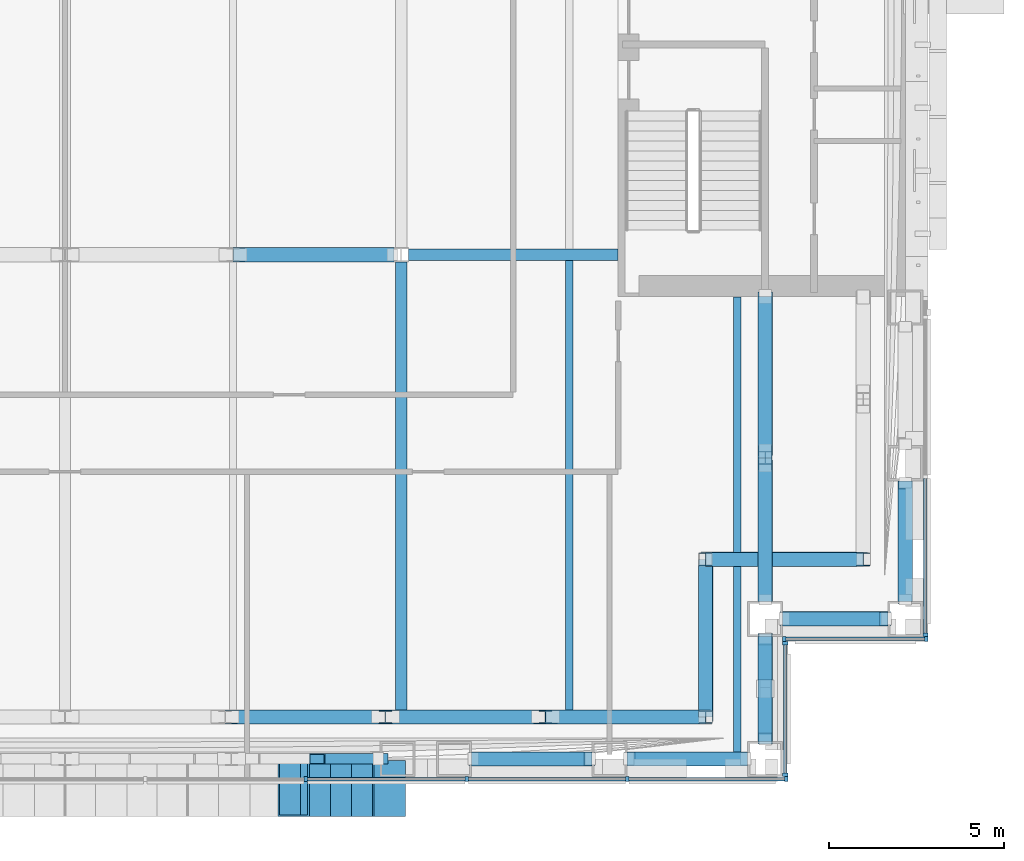
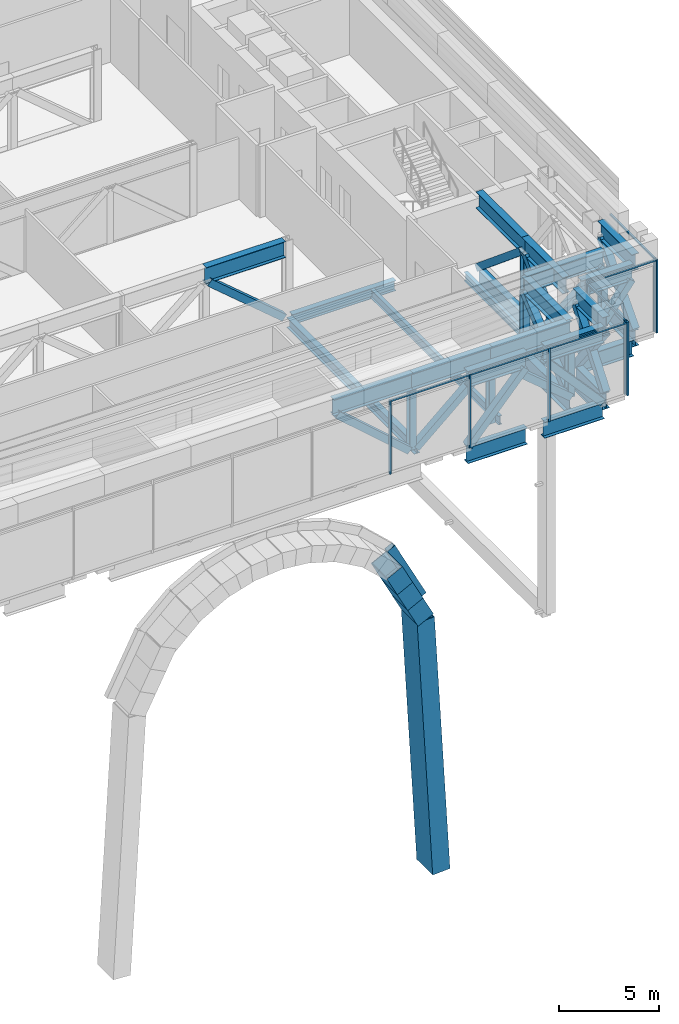
# One storey, part 5 of 39: 61 members, 6 beams, 4 elements without a shape of their own.
"""IFC4 building model written with IfcOpenShell, lengths in metres."""

import ifcopenshell
import ifcopenshell.guid

model = None  # the IFC model being written
_history = None  # IfcOwnerHistory: only IFC2X3 demands one
_inside = {}  # id of a spatial element -> (the spatial element, [elements in it])
_under = {}  # id of a project, library or spatial element -> (it, [spatial elements below it])
_declared = {}  # id of a project -> (the project, [libraries it declares])
_typed = {}  # id of a type object -> (the type object, [elements of that type])
_made_of = {}  # id of a material, layer set ... -> (it, [elements and type objects made of it])


def new_model(schema):
    """Start an empty IFC model of exactly this schema.

    Asked for "IFC4X3", IfcOpenShell would pick the latest addendum, in which some entities
    have other attributes; the version numbers below select the first issue.
    IFC2X3 requires an IfcOwnerHistory on every rooted entity: one is made here for all.
    """
    global model, _history
    if schema == "IFC4X3":
        model = ifcopenshell.file(schema_version=(4, 3, 0, 0))
    else:
        model = ifcopenshell.file(schema=schema)
    _inside.clear()
    _under.clear()
    _declared.clear()
    _typed.clear()
    _made_of.clear()
    _history = None
    if model.schema == "IFC2X3":
        org = make("IfcOrganization", Name="unknown")
        user = make(
            "IfcPersonAndOrganization",
            ThePerson=make("IfcPerson", FamilyName="unknown"),
            TheOrganization=org,
        )
        app = make(
            "IfcApplication",
            ApplicationDeveloper=org,
            Version="unknown",
            ApplicationFullName="unknown",
            ApplicationIdentifier="unknown",
        )
        _history = make(
            "IfcOwnerHistory",
            OwningUser=user,
            OwningApplication=app,
            ChangeAction="ADDED",
            CreationDate=0,
        )
    return model


def make(cls, **values):
    """One entity of the class cls with the attributes given. An attribute that is None is left unset."""
    return model.create_entity(
        cls, **{name: value for name, value in values.items() if value is not None}
    )


def rooted(cls, **values):
    """An entity with a GlobalId (a new one), such as an element, a storey or a relation."""
    return make(cls, GlobalId=ifcopenshell.guid.new(), OwnerHistory=_history, **values)


def si_unit(unit_type, name, prefix=None):
    """IfcSIUnit, for example si_unit("LENGTHUNIT", "METRE", prefix="MILLI")."""
    return make("IfcSIUnit", UnitType=unit_type, Prefix=prefix, Name=name)


def assignment(units):
    """IfcUnitAssignment: the units of a project."""
    return None if units is None else make("IfcUnitAssignment", Units=units)


def point(xyz):
    """IfcCartesianPoint."""
    return None if xyz is None else make("IfcCartesianPoint", Coordinates=xyz)


def direction(xyz):
    """IfcDirection."""
    return None if xyz is None else make("IfcDirection", DirectionRatios=xyz)


def frame(location, z_axis=None, x_axis=None):
    """IfcAxis2Placement3D, a coordinate frame: its origin and axes. An axis left out is left unset."""
    return make(
        "IfcAxis2Placement3D",
        Location=point(location),
        Axis=direction(z_axis),
        RefDirection=direction(x_axis),
    )


def frame_2d(location, x_axis=None):
    """IfcAxis2Placement2D, a coordinate frame in the plane: its origin and x axis."""
    return make(
        "IfcAxis2Placement2D", Location=point(location), RefDirection=direction(x_axis)
    )


def origin():
    """The frame at (0, 0, 0) with its axes left unset."""
    return frame((0.0, 0.0, 0.0))


def origin_2d():
    """The frame at (0, 0) in the plane with its x axis left unset."""
    return frame_2d((0.0, 0.0))


def place(relative_to, where):
    """IfcLocalPlacement: puts the frame where relative to a parent placement (None: the world)."""
    return make(
        "IfcLocalPlacement", PlacementRelTo=relative_to, RelativePlacement=where
    )


def context(
    kind, dimensions, precision=None, world=None, true_north=None, identifier=None
):
    """IfcGeometricRepresentationContext, for example the 3D "Model" context."""
    return make(
        "IfcGeometricRepresentationContext",
        ContextIdentifier=identifier,
        ContextType=kind,
        CoordinateSpaceDimension=dimensions,
        Precision=precision,
        WorldCoordinateSystem=world,
        TrueNorth=true_north,
    )


def subcontext(parent, identifier, kind, view, scale=None):
    """IfcGeometricRepresentationSubContext, for example "Body" below "Model"."""
    return make(
        "IfcGeometricRepresentationSubContext",
        ContextIdentifier=identifier,
        ContextType=kind,
        ParentContext=parent,
        TargetScale=scale,
        TargetView=view,
    )


def project(units=None, contexts=None):
    """IfcProject with its units and contexts."""
    return rooted(
        "IfcProject",
        Name="project",
        RepresentationContexts=contexts,
        UnitsInContext=assignment(units),
    )


def spatial(cls, under=None, at=None, **own):
    """A site, building, storey or space (cls), placed at a placement, below another one or the project."""
    s = rooted(cls, ObjectPlacement=at, **own)
    if under is not None:
        _under.setdefault(under.id(), (under, []))[1].append(s)
    return s


def profile(cls, at=None, kind="AREA", **sizes):
    """A parametric profile (cls). Its sizes go by their IFC names, for example OverallWidth=200.0."""
    return make(cls, ProfileType=kind, Position=at, **sizes)


def rectangle(**sizes):
    """IfcRectangleProfileDef."""
    return profile("IfcRectangleProfileDef", **sizes)


def hollow_rectangle(**sizes):
    """IfcRectangleHollowProfileDef."""
    return profile("IfcRectangleHollowProfileDef", **sizes)


def i_section(**sizes):
    """IfcIShapeProfileDef."""
    return profile("IfcIShapeProfileDef", **sizes)


def extrude(swept, where, along, depth):
    """IfcExtrudedAreaSolid: the profile swept, set in the frame where, extruded along a direction by depth."""
    return make(
        "IfcExtrudedAreaSolid",
        SweptArea=swept,
        Position=where,
        ExtrudedDirection=direction(along),
        Depth=depth,
    )


def shape(context_of_items, identifier, shape_type, items):
    """IfcShapeRepresentation: the items that make up one representation, for example the "Body"."""
    return make(
        "IfcShapeRepresentation",
        ContextOfItems=context_of_items,
        RepresentationIdentifier=identifier,
        RepresentationType=shape_type,
        Items=items,
    )


def material(Name=None, Category=None):
    """IfcMaterial."""
    return make("IfcMaterial", Name=Name, Category=Category)


def material_profile(
    of_material, cross_section, Name=None, Category=None, Priority=None
):
    """IfcMaterialProfile: a cross section and its material."""
    return make(
        "IfcMaterialProfile",
        Name=Name,
        Material=of_material,
        Profile=cross_section,
        Priority=Priority,
        Category=Category,
    )


def profile_set(profiles, Name=None, composite=None):
    """IfcMaterialProfileSet."""
    return make(
        "IfcMaterialProfileSet",
        Name=Name,
        MaterialProfiles=profiles,
        CompositeProfile=composite,
    )


def made_of(thing, what):
    """Note that an element or type object is made of a material, layer set ...; save() writes the relation."""
    if what is not None:
        _made_of.setdefault(what.id(), (what, []))[1].append(thing)
    return thing


def type_object(cls, material=None, **own):
    """A type object (cls), such as IfcWallType, which elements share."""
    return made_of(rooted(cls, **own), material)


def element(
    cls,
    number,
    at=None,
    inside=None,
    cuts=None,
    type_object=None,
    material=None,
    context=None,
    identifier="Body",
    shape_type=None,
    held_by="IfcProductDefinitionShape",
    body=None,
    shapes=None,
    **own,
):
    """One element of the class cls, such as IfcWall. Its Tag is "e" and its number.

    at: its placement. inside: the storey or other place that contains it. cuts: it is an
    opening in that element (IfcRelVoidsElement). A single representation is given by context,
    identifier, shape_type and body (its items); several are given by shapes. held_by: the class
    of the entity that holds the representations. save() writes the other relations.
    """
    e = rooted(cls, Tag="e%d" % number, ObjectPlacement=at, **own)
    if body is not None:
        shapes = [shape(context, identifier, shape_type, body)]
    if shapes is not None:
        e.Representation = make(held_by, Representations=shapes)
    if inside is not None:
        _inside.setdefault(inside.id(), (inside, []))[1].append(e)
    if cuts is not None:
        rooted(
            "IfcRelVoidsElement", RelatingBuildingElement=cuts, RelatedOpeningElement=e
        )
    if type_object is not None:
        _typed.setdefault(type_object.id(), (type_object, []))[1].append(e)
    return made_of(e, material)


def aggregate(whole, parts):
    """IfcRelAggregates: a whole, such as a stair, and the parts it consists of."""
    return rooted("IfcRelAggregates", RelatingObject=whole, RelatedObjects=parts)


def save(model, path):
    """Write the relations noted so far, then the file.

    IfcRelAggregates (storeys below a building ...), IfcRelContainedInSpatialStructure (elements
    in a storey), IfcRelDefinesByType, IfcRelAssociatesMaterial and IfcRelDeclares: one each for
    every whole, place, type object, material and project.
    """
    for whole, parts in _under.values():
        aggregate(whole, parts)
    for where, things in _inside.values():
        rooted(
            "IfcRelContainedInSpatialStructure",
            RelatedElements=things,
            RelatingStructure=where,
        )
    for kind, things in _typed.values():
        rooted("IfcRelDefinesByType", RelatedObjects=things, RelatingType=kind)
    for what, things in _made_of.values():
        rooted("IfcRelAssociatesMaterial", RelatedObjects=things, RelatingMaterial=what)
    for by, libraries in _declared.values():
        rooted("IfcRelDeclares", RelatingContext=by, RelatedDefinitions=libraries)
    model.write(path)


model = new_model("IFC4")

# Units and contexts
model_context = context("Model", 3, precision=1e-05, world=origin(), true_north=direction((0.0, 1.0)))
body_context = subcontext(model_context, "Body", "Model", "MODEL_VIEW")
ifc_project = project(units=[si_unit("LENGTHUNIT", "METRE"), si_unit("AREAUNIT", "SQUARE_METRE"), si_unit("VOLUMEUNIT", "CUBIC_METRE"), si_unit("PLANEANGLEUNIT", "RADIAN"), si_unit("MASSUNIT", "GRAM", prefix="KILO")], contexts=[model_context])

# Site, building, storey
site_placement = place(None, origin())
site = spatial("IfcSite", under=ifc_project, at=site_placement, CompositionType="ELEMENT")
building_placement = place(site_placement, origin())
building = spatial("IfcBuilding", under=site, at=building_placement, Name="Cobrizo Arcos Hotel Tower", CompositionType="ELEMENT")
storey_placement = place(building_placement, frame((0.0, 0.0, 84.5)))
storey = spatial("IfcBuildingStorey", under=building, at=storey_placement, Name="L20", CompositionType="ELEMENT", Elevation=84.5)

# Beam
ifc_material_1 = material(Name="Steel ASTM A572 Grade 50", Category="steel")
ifc_material_profile_1 = material_profile(ifc_material_1, hollow_rectangle(XDim=0.300048828125, YDim=0.5, WallThickness=0.02001953125, at=origin_2d()), Name="BOX 300X500X20")
ifc_profile_set_1 = profile_set([ifc_material_profile_1], Name="Steel ASTM A572 Grade 50")
beam_type_1 = type_object("IfcBeamType", Name="BOX 300X500X20 arch rib", PredefinedType="BEAM", material=ifc_profile_set_1)
beam_1_placement = place(storey_placement, frame((7.199951171875, -24.0, -4.9462890625), z_axis=(0.455923660176, 0.0, -0.890018885245), x_axis=(0.0, 1.0, 0.0)))
element("IfcBeam", 1, at=beam_1_placement, inside=storey, type_object=beam_type_1, Name="Arch rib AR1, arch A, south face, no. 10", PredefinedType="BEAM", context=body_context, shape_type="SweptSolid", body=[
    extrude(hollow_rectangle(XDim=0.300048828125, YDim=0.5, WallThickness=0.02001953125, at=origin_2d()), origin(), (0.0, 0.0, 1.0), 3.9482421875),
])

# Curtain wall, members
ifc_material_2 = material(Name="Aluminium 6063-T6 anodised bronze", Category="aluminium")
curtain_wall_type = type_object("IfcCurtainWallType", Name="CW-D plant louvre wall", PredefinedType="NOTDEFINED", material=ifc_material_2)
curtain_wall_1_placement = place(storey_placement, origin())
curtain_wall_1 = element("IfcCurtainWall", 2, at=curtain_wall_1_placement, inside=storey, type_object=curtain_wall_type, Name="CW-D L20 S face", PredefinedType="NOTDEFINED")
ifc_material_profile_2 = material_profile(ifc_material_2, rectangle(XDim=0.14990234375, YDim=0.10009765625, at=origin_2d()), Name="CW-D mullion 150x100")
ifc_profile_set_2 = profile_set([ifc_material_profile_2], Name="Aluminium 6063-T6 anodised bronze")
member_type_1 = type_object("IfcMemberType", Name="CW-D mullion 150x100", PredefinedType="MULLION", material=ifc_profile_set_2)
member_1_placement = place(storey_placement, frame((6.88330078125, -24.574951171875, 0.0), z_axis=(0.0, 0.0, 1.0), x_axis=(0.0, -1.0, 0.0)))
member_1 = element("IfcMember", 3, at=member_1_placement, type_object=member_type_1, Name="CW-D mullion 7", PredefinedType="MULLION", context=body_context, shape_type="SweptSolid", body=[
    extrude(rectangle(XDim=0.14990234375, YDim=0.10009765625, at=origin_2d()), origin(), (0.0, 0.0, 1.0), 4.5),
])
member_2_placement = place(storey_placement, frame((11.47216796875, -24.574951171875, 0.0), z_axis=(0.0, 0.0, 1.0), x_axis=(0.0, -1.0, 0.0)))
member_2 = element("IfcMember", 4, at=member_2_placement, type_object=member_type_1, Name="CW-D mullion 8", PredefinedType="MULLION", context=body_context, shape_type="SweptSolid", body=[
    extrude(rectangle(XDim=0.14990234375, YDim=0.10009765625, at=origin_2d()), origin(), (0.0, 0.0, 1.0), 4.5),
])
member_3_placement = place(storey_placement, frame((16.06103515625, -24.574951171875, 0.0), z_axis=(0.0, 0.0, 1.0), x_axis=(0.0, -1.0, 0.0)))
member_3 = element("IfcMember", 5, at=member_3_placement, type_object=member_type_1, Name="CW-D mullion 9", PredefinedType="MULLION", context=body_context, shape_type="SweptSolid", body=[
    extrude(rectangle(XDim=0.14990234375, YDim=0.10009765625, at=origin_2d()), origin(), (0.0, 0.0, 1.0), 4.5),
])
member_4_placement = place(storey_placement, frame((20.60009765625, -24.574951171875, 0.0), z_axis=(0.0, 0.0, 1.0), x_axis=(0.0, -1.0, 0.0)))
member_4 = element("IfcMember", 6, at=member_4_placement, type_object=member_type_1, Name="CW-D mullion 10", PredefinedType="MULLION", context=body_context, shape_type="SweptSolid", body=[
    extrude(rectangle(XDim=0.14990234375, YDim=0.10009765625, at=origin_2d()), origin(), (0.0, 0.0, 1.0), 4.5),
])

curtain_wall_2_placement = place(storey_placement, origin())
curtain_wall_2 = element("IfcCurtainWall", 7, at=curtain_wall_2_placement, inside=storey, type_object=curtain_wall_type, Name="CW-D L20 E face", PredefinedType="NOTDEFINED")
member_5_placement = place(storey_placement, frame((20.574951171875, -24.449951171875, 0.0), z_axis=(0.0, 0.0, 1.0), x_axis=(1.0, 0.0, 0.0)))
member_5 = element("IfcMember", 8, at=member_5_placement, type_object=member_type_1, Name="CW-D mullion 1", PredefinedType="MULLION", context=body_context, shape_type="SweptSolid", body=[
    extrude(rectangle(XDim=0.14990234375, YDim=0.10009765625, at=origin_2d()), origin(), (0.0, 0.0, 1.0), 4.5),
])
member_6_placement = place(storey_placement, frame((20.574951171875, -20.699951171875, 0.0), z_axis=(0.0, 0.0, 1.0), x_axis=(1.0, 0.0, 0.0)))
member_6 = element("IfcMember", 9, at=member_6_placement, type_object=member_type_1, Name="CW-D mullion 2", PredefinedType="MULLION", context=body_context, shape_type="SweptSolid", body=[
    extrude(rectangle(XDim=0.14990234375, YDim=0.10009765625, at=origin_2d()), origin(), (0.0, 0.0, 1.0), 4.5),
])

curtain_wall_3_placement = place(storey_placement, origin())
curtain_wall_3 = element("IfcCurtainWall", 10, at=curtain_wall_3_placement, inside=storey, type_object=curtain_wall_type, Name="CW-D L20 S face", PredefinedType="NOTDEFINED")
member_7_placement = place(storey_placement, frame((20.550048828125, -20.574951171875, 0.0), z_axis=(0.0, 0.0, 1.0), x_axis=(0.0, -1.0, 0.0)))
member_7 = element("IfcMember", 11, at=member_7_placement, type_object=member_type_1, Name="CW-D mullion 1", PredefinedType="MULLION", context=body_context, shape_type="SweptSolid", body=[
    extrude(rectangle(XDim=0.14990234375, YDim=0.10009765625, at=origin_2d()), origin(), (0.0, 0.0, 1.0), 4.5),
])
member_8_placement = place(storey_placement, frame((24.60009765625, -20.574951171875, 0.0), z_axis=(0.0, 0.0, 1.0), x_axis=(0.0, -1.0, 0.0)))
member_8 = element("IfcMember", 12, at=member_8_placement, type_object=member_type_1, Name="CW-D mullion 2", PredefinedType="MULLION", context=body_context, shape_type="SweptSolid", body=[
    extrude(rectangle(XDim=0.14990234375, YDim=0.10009765625, at=origin_2d()), origin(), (0.0, 0.0, 1.0), 4.5),
])

# Curtain wall, member
curtain_wall_4_placement = place(storey_placement, origin())
curtain_wall_4 = element("IfcCurtainWall", 13, at=curtain_wall_4_placement, inside=storey, type_object=curtain_wall_type, Name="CW-D L20 E face", PredefinedType="NOTDEFINED")
member_9_placement = place(storey_placement, frame((24.574951171875, -20.449951171875, 0.0), z_axis=(0.0, 0.0, 1.0), x_axis=(1.0, 0.0, 0.0)))
member_9 = element("IfcMember", 14, at=member_9_placement, type_object=member_type_1, Name="CW-D mullion 1", PredefinedType="MULLION", context=body_context, shape_type="SweptSolid", body=[
    extrude(rectangle(XDim=0.14990234375, YDim=0.10009765625, at=origin_2d()), origin(), (0.0, 0.0, 1.0), 4.5),
])

# Member
ifc_material_profile_3 = material_profile(ifc_material_2, rectangle(XDim=0.10009765625, YDim=0.10009765625, at=origin_2d()), Name="CW-D transom 100x100")
ifc_profile_set_3 = profile_set([ifc_material_profile_3], Name="Aluminium 6063-T6 anodised bronze")
member_type_2 = type_object("IfcMemberType", Name="CW-D transom 100x100", PredefinedType="USERDEFINED", material=ifc_profile_set_3)
member_10_placement = place(storey_placement, frame((6.933349609375, -24.574951171875, 4.449951171875), z_axis=(1.0, 0.0, 0.0), x_axis=(0.0, 1.0, 0.0)))
member_10 = element("IfcMember", 15, at=member_10_placement, type_object=member_type_2, Name="CW-D transom 819", ObjectType="TRANSOM", PredefinedType="USERDEFINED", context=body_context, shape_type="SweptSolid", body=[
    extrude(rectangle(XDim=0.10009765625, YDim=0.10009765625, at=origin_2d()), origin(), (0.0, 0.0, 1.0), 4.48876953125),
])

member_11_placement = place(storey_placement, frame((11.522216796875, -24.574951171875, 4.449951171875), z_axis=(1.0, 0.0, 0.0), x_axis=(0.0, 1.0, 0.0)))
member_11 = element("IfcMember", 16, at=member_11_placement, type_object=member_type_2, Name="CW-D transom 820", ObjectType="TRANSOM", PredefinedType="USERDEFINED", context=body_context, shape_type="SweptSolid", body=[
    extrude(rectangle(XDim=0.10009765625, YDim=0.10009765625, at=origin_2d()), origin(), (0.0, 0.0, 1.0), 4.489013671875),
])

member_12_placement = place(storey_placement, frame((16.111083984375, -24.574951171875, 4.449951171875), z_axis=(1.0, 0.0, 0.0), x_axis=(0.0, 1.0, 0.0)))
member_12 = element("IfcMember", 17, at=member_12_placement, type_object=member_type_2, Name="CW-D transom 821", ObjectType="TRANSOM", PredefinedType="USERDEFINED", context=body_context, shape_type="SweptSolid", body=[
    extrude(rectangle(XDim=0.10009765625, YDim=0.10009765625, at=origin_2d()), origin(), (0.0, 0.0, 1.0), 4.43896484375),
])

aggregate(curtain_wall_1, [member_1, member_2, member_3, member_4, member_10, member_11, member_12])

member_13_placement = place(storey_placement, frame((20.574951171875, -24.39990234375, 4.449951171875), z_axis=(0.0, 1.0, 0.0), x_axis=(-1.0, 0.0, 0.0)))
member_13 = element("IfcMember", 18, at=member_13_placement, type_object=member_type_2, Name="CW-D transom 822", ObjectType="TRANSOM", PredefinedType="USERDEFINED", context=body_context, shape_type="SweptSolid", body=[
    extrude(rectangle(XDim=0.10009765625, YDim=0.10009765625, at=origin_2d()), origin(), (0.0, 0.0, 1.0), 3.64990234375),
])

aggregate(curtain_wall_2, [member_5, member_6, member_13])

member_14_placement = place(storey_placement, frame((20.60009765625, -20.574951171875, 4.449951171875), z_axis=(1.0, 0.0, 0.0), x_axis=(0.0, 1.0, 0.0)))
member_14 = element("IfcMember", 19, at=member_14_placement, type_object=member_type_2, Name="CW-D transom 823", ObjectType="TRANSOM", PredefinedType="USERDEFINED", context=body_context, shape_type="SweptSolid", body=[
    extrude(rectangle(XDim=0.10009765625, YDim=0.10009765625, at=origin_2d()), origin(), (0.0, 0.0, 1.0), 3.949951171875),
])

aggregate(curtain_wall_3, [member_7, member_8, member_14])

member_15_placement = place(storey_placement, frame((24.574951171875, -20.39990234375, 4.449951171875), z_axis=(0.0, 1.0, 0.0), x_axis=(-1.0, 0.0, 0.0)))
member_15 = element("IfcMember", 20, at=member_15_placement, type_object=member_type_2, Name="CW-D transom 824", ObjectType="TRANSOM", PredefinedType="USERDEFINED", context=body_context, shape_type="SweptSolid", body=[
    extrude(rectangle(XDim=0.10009765625, YDim=0.10009765625, at=origin_2d()), origin(), (0.0, 0.0, 1.0), 4.405517578125),
])

aggregate(curtain_wall_4, [member_9, member_15])

# Members
ifc_material_3 = material(Name="Steel ASTM A500 Grade C", Category="steel")
ifc_material_profile_4 = material_profile(ifc_material_3, hollow_rectangle(XDim=0.406494140625, YDim=0.406494140625, WallThickness=0.014892578125, at=origin_2d()), Name="HSS16X16X5/8")
ifc_profile_set_4 = profile_set([ifc_material_profile_4], Name="Steel ASTM A500 Grade C")
member_type_3 = type_object("IfcMemberType", Name="HSS16X16X5/8 truss diagonal", PredefinedType="BRACE", material=ifc_profile_set_4)
member_16_placement = place(storey_placement, frame((11.69091796875, -24.0, -0.300048828125), z_axis=(0.668028893094, 0.0, 0.744135335804), x_axis=(0.0, 1.0, 0.0)))
element("IfcMember", 21, at=member_16_placement, inside=storey, type_object=member_type_3, Name="Belt truss diagonal TD1, L20, no. 007", PredefinedType="BRACE", context=body_context, shape_type="SweptSolid", body=[
    extrude(hollow_rectangle(XDim=0.406494140625, YDim=0.406494140625, WallThickness=0.014892578125, at=origin_2d()), origin(), (0.0, 0.0, 1.0), 4.917724609375),
])
member_17_placement = place(storey_placement, frame((16.135986328125, -24.0, 3.359375), z_axis=(0.667891406246, 0.0, -0.744258738251), x_axis=(0.0, 1.0, 0.0)))
element("IfcMember", 22, at=member_17_placement, inside=storey, type_object=member_type_3, Name="Belt truss diagonal TD1, L20, no. 008", PredefinedType="BRACE", context=body_context, shape_type="SweptSolid", body=[
    extrude(hollow_rectangle(XDim=0.406494140625, YDim=0.406494140625, WallThickness=0.014892578125, at=origin_2d()), origin(), (0.0, 0.0, 1.0), 4.9169921875),
])
for number, where, z_axis, x_axis, name in (
    (23, (20.0, -23.419921875, -0.300048828125), (0.0, 0.613082755999, 0.790018692372), (-1.0, 0.0, 0.0), "Belt truss diagonal TD1, L20, no. 009"),
    (24, (20.580078125, -20.0, -0.300048828125), (0.613082755999, 0.0, 0.790018692372), (0.0, 1.0, 0.0), "Belt truss diagonal TD1, L20, no. 010"),
):
    element("IfcMember", number, at=place(storey_placement, frame(where, z_axis=z_axis, x_axis=x_axis)), inside=storey, type_object=member_type_3, Name=name, PredefinedType="BRACE", context=body_context, shape_type="SweptSolid", body=[
        extrude(hollow_rectangle(XDim=0.406494140625, YDim=0.406494140625, WallThickness=0.014892578125, at=origin_2d()), origin(), (0.0, 0.0, 1.0), 4.632080078125),
    ])
member_18_placement = place(storey_placement, frame((24.0, -19.419921875, -0.300048828125), z_axis=(0.0, 0.667891406246, 0.744258738251), x_axis=(-1.0, 0.0, 0.0)))
element("IfcMember", 25, at=member_18_placement, inside=storey, type_object=member_type_3, Name="Belt truss diagonal TD1, L20, no. 011", PredefinedType="BRACE", context=body_context, shape_type="SweptSolid", body=[
    extrude(hollow_rectangle(XDim=0.406494140625, YDim=0.406494140625, WallThickness=0.014892578125, at=origin_2d()), origin(), (0.0, 0.0, 1.0), 4.9169921875),
])
member_19_placement = place(storey_placement, frame((4.77490234375, -22.800048828125, 3.359375), z_axis=(0.752017979383, 0.0, -0.65914259359), x_axis=(0.0, 1.0, 0.0)))
element("IfcMember", 26, at=member_19_placement, inside=storey, type_object=member_type_3, Name="Belt truss diagonal TD1, L20, no. 038", PredefinedType="BRACE", context=body_context, shape_type="SweptSolid", body=[
    extrude(hollow_rectangle(XDim=0.406494140625, YDim=0.406494140625, WallThickness=0.014892578125, at=origin_2d()), origin(), (0.0, 0.0, 1.0), 5.5517578125),
])
member_20_placement = place(storey_placement, frame((9.35009765625, -22.800048828125, -0.300048828125), z_axis=(0.751998872625, 0.0, 0.659164391917), x_axis=(0.0, 1.0, 0.0)))
element("IfcMember", 27, at=member_20_placement, inside=storey, type_object=member_type_3, Name="Belt truss diagonal TD1, L20, no. 039", PredefinedType="BRACE", context=body_context, shape_type="SweptSolid", body=[
    extrude(hollow_rectangle(XDim=0.406494140625, YDim=0.406494140625, WallThickness=0.014892578125, at=origin_2d()), origin(), (0.0, 0.0, 1.0), 5.551513671875),
])
member_21_placement = place(storey_placement, frame((13.925048828125, -22.800048828125, 3.359375), z_axis=(0.767048144643, 0.0, -0.641589544646), x_axis=(0.0, 1.0, 0.0)))
element("IfcMember", 28, at=member_21_placement, inside=storey, type_object=member_type_3, Name="Belt truss diagonal TD1, L20, no. 040", PredefinedType="BRACE", context=body_context, shape_type="SweptSolid", body=[
    extrude(hollow_rectangle(XDim=0.406494140625, YDim=0.406494140625, WallThickness=0.014892578125, at=origin_2d()), origin(), (0.0, 0.0, 1.0), 5.70361328125),
])
for number, where, z_axis, x_axis, name in (
    (29, (18.300048828125, -22.800048828125, -0.300048828125), (0.0, 0.775846123764, 0.630922176057), (-1.0, 0.0, 0.0), "Belt truss diagonal TD1, L20, no. 041"),
    (30, (18.300048828125, -18.300048828125, -0.300048828125), (0.775846123764, 0.0, 0.630922176057), (0.0, 1.0, 0.0), "Belt truss diagonal TD1, L20, no. 042"),
):
    element("IfcMember", number, at=place(storey_placement, frame(where, z_axis=z_axis, x_axis=x_axis)), inside=storey, type_object=member_type_3, Name=name, PredefinedType="BRACE", context=body_context, shape_type="SweptSolid", body=[
        extrude(hollow_rectangle(XDim=0.406494140625, YDim=0.406494140625, WallThickness=0.014892578125, at=origin_2d()), origin(), (0.0, 0.0, 1.0), 5.800048828125),
    ])
member_22_placement = place(storey_placement, frame((20.0, -10.800048828125, -0.300048828125), z_axis=(0.0, -0.768836361842, 0.639445579162), x_axis=(1.0, 0.0, 0.0)))
element("IfcMember", 31, at=member_22_placement, inside=storey, type_object=member_type_3, Name="Outrigger diagonal TD1, L20, no. 001", PredefinedType="BRACE", context=body_context, shape_type="SweptSolid", body=[
    extrude(hollow_rectangle(XDim=0.406494140625, YDim=0.406494140625, WallThickness=0.014892578125, at=origin_2d()), origin(), (0.0, 0.0, 1.0), 5.722900390625),
])
member_23_placement = place(storey_placement, frame((20.0, -15.60009765625, 3.359375), z_axis=(0.0, -0.722105393419, -0.691783059054), x_axis=(1.0, 0.0, 0.0)))
element("IfcMember", 32, at=member_23_placement, inside=storey, type_object=member_type_3, Name="Outrigger diagonal TD1, L20, no. 002", PredefinedType="BRACE", context=body_context, shape_type="SweptSolid", body=[
    extrude(hollow_rectangle(XDim=0.406494140625, YDim=0.406494140625, WallThickness=0.014892578125, at=origin_2d()), origin(), (0.0, 0.0, 1.0), 5.289794921875),
])
member_24_placement = place(storey_placement, frame((5.0, -9.60009765625, 3.359375), z_axis=(0.762696810588, 0.0, -0.646756194496), x_axis=(0.0, 1.0, 0.0)))
element("IfcMember", 33, at=member_24_placement, inside=storey, type_object=member_type_3, Name="Outrigger diagonal TD1, L20, no. 016", PredefinedType="BRACE", context=body_context, shape_type="SweptSolid", body=[
    extrude(hollow_rectangle(XDim=0.406494140625, YDim=0.406494140625, WallThickness=0.014892578125, at=origin_2d()), origin(), (0.0, 0.0, 1.0), 5.658203125),
])
for number, where, z_axis, x_axis, name in (
    (34, (20.0, -20.580078125, -0.300048828125), (0.0, -0.613101642082, 0.790004035734), (1.0, 0.0, 0.0), "Outrigger diagonal TD1, L20, no. 003"),
    (35, (20.0, -22.110107421875, 1.671630859375), (0.0, -0.613101642082, 0.790004035734), (1.0, 0.0, 0.0), "Outrigger diagonal TD1, L20, no. 003b"),
):
    element("IfcMember", number, at=place(storey_placement, frame(where, z_axis=z_axis, x_axis=x_axis)), inside=storey, type_object=member_type_3, Name=name, PredefinedType="BRACE", context=body_context, shape_type="SweptSolid", body=[
        extrude(hollow_rectangle(XDim=0.406494140625, YDim=0.406494140625, WallThickness=0.014892578125, at=origin_2d()), origin(), (0.0, 0.0, 1.0), 2.136474609375),
    ])
ifc_material_4 = material(Name="Steel ASTM A572 Grade 50 verdigris painted", Category="steel")
ifc_material_profile_5 = material_profile(ifc_material_4, hollow_rectangle(XDim=1.60009765625, YDim=1.0, WallThickness=0.050048828125, at=origin_2d()), Name="PF-2 arch ring frame box 1600x1000x50")
ifc_profile_set_5 = profile_set([ifc_material_profile_5], Name="Steel ASTM A572 Grade 50 verdigris painted")
member_type_4 = type_object("IfcMemberType", Name="PF-2 arch ring frame box 1600x1000x50", PredefinedType="USERDEFINED", material=ifc_profile_set_5)
member_25_placement = place(storey_placement, frame((6.532470703125, -24.85009765625, -5.2880859375), z_axis=(0.455872286365, 0.0, -0.89004520027), x_axis=(0.0, 1.0, 0.0)))
element("IfcMember", 36, at=member_25_placement, inside=storey, type_object=member_type_4, Name="A ring frame lintel S20", ObjectType="PORTAL FRAME", PredefinedType="USERDEFINED", context=body_context, shape_type="SweptSolid", body=[
    extrude(hollow_rectangle(XDim=1.60009765625, YDim=1.0, WallThickness=0.050048828125, at=origin_2d()), origin(), (0.0, 0.0, 1.0), 1.31640625),
])
member_26_placement = place(storey_placement, frame((7.132568359375, -24.85009765625, -6.459716796875), z_axis=(0.455875869806, 0.0, -0.890043364859), x_axis=(0.0, 1.0, 0.0)))
element("IfcMember", 37, at=member_26_placement, inside=storey, type_object=member_type_4, Name="A ring frame lintel S21", ObjectType="PORTAL FRAME", PredefinedType="USERDEFINED", context=body_context, shape_type="SweptSolid", body=[
    extrude(hollow_rectangle(XDim=1.60009765625, YDim=1.0, WallThickness=0.050048828125, at=origin_2d()), origin(), (0.0, 0.0, 1.0), 1.31591796875),
])
member_27_placement = place(storey_placement, frame((7.732421875, -24.85009765625, -7.630859375), z_axis=(0.455947548902, 0.0, -0.890006647531), x_axis=(0.0, 1.0, 0.0)))
element("IfcMember", 38, at=member_27_placement, inside=storey, type_object=member_type_4, Name="A ring frame lintel S22", ObjectType="PORTAL FRAME", PredefinedType="USERDEFINED", context=body_context, shape_type="SweptSolid", body=[
    extrude(hollow_rectangle(XDim=1.60009765625, YDim=1.0, WallThickness=0.050048828125, at=origin_2d()), origin(), (0.0, 0.0, 1.0), 1.316162109375),
])
member_28_placement = place(storey_placement, frame((9.232421875, -24.85009765625, -24.5), z_axis=(-0.057232855112, 0.0, 0.998360856753), x_axis=(0.0, -1.0, 0.0)))
element("IfcMember", 39, at=member_28_placement, inside=storey, type_object=member_type_4, Name="A ring frame post SE", ObjectType="PORTAL FRAME", PredefinedType="USERDEFINED", context=body_context, shape_type="SweptSolid", body=[
    extrude(hollow_rectangle(XDim=1.60009765625, YDim=1.0, WallThickness=0.050048828125, at=origin_2d()), origin(), (0.0, 0.0, 1.0), 15.7236328125),
])
ifc_material_5 = material(Name="Steel ASTM A992 Grade 50", Category="steel")
ifc_material_profile_6 = material_profile(ifc_material_5, i_section(OverallWidth=0.373291015625, OverallDepth=0.373291015625, WebThickness=0.016357421875, FlangeThickness=0.026123046875, at=origin_2d()), Name="W14X132")
ifc_profile_set_6 = profile_set([ifc_material_profile_6], Name="Steel ASTM A992 Grade 50")
member_type_5 = type_object("IfcMemberType", Name="W14X132 truss post", PredefinedType="POST", material=ifc_profile_set_6)
for number, where, z_axis, x_axis, name in (
    (40, (9.14990234375, -22.800048828125, -0.300048828125), (0.0, 0.0, 1.0), (1.0, 0.0, 0.0), "Truss post TP1, L20, no. 013"),
    (41, (13.72509765625, -22.800048828125, -0.300048828125), (0.0, 0.0, 1.0), (1.0, 0.0, 0.0), "Truss post TP1, L20, no. 014"),
    (42, (18.300048828125, -22.800048828125, -0.300048828125), (0.0, 0.0, 1.0), (1.0, 0.0, 0.0), "Truss post TP1, L20, no. 015"),
    (43, (18.300048828125, -18.300048828125, -0.300048828125), (0.0, 0.0, 1.0), (1.0, 0.0, 0.0), "Truss post TP1, L20, no. 016"),
    (44, (22.800048828125, -18.300048828125, -0.300048828125), (0.0, 0.0, 1.0), (1.0, 0.0, 0.0), "Truss post TP1, L20, no. 017"),
    (45, (20.0, -15.39990234375, -0.300048828125), (0.0, 0.0, 1.0), (1.0, 0.0, 0.0), "Truss post TP1, L20, no. 037"),
):
    element("IfcMember", number, at=place(storey_placement, frame(where, z_axis=z_axis, x_axis=x_axis)), inside=storey, type_object=member_type_5, Name=name, PredefinedType="POST", context=body_context, shape_type="SweptSolid", body=[
        extrude(i_section(OverallWidth=0.373291015625, OverallDepth=0.373291015625, WebThickness=0.016357421875, FlangeThickness=0.026123046875, at=origin_2d()), origin(), (0.0, 0.0, 1.0), 3.659423828125),
    ])

# Beams
ifc_material_profile_7 = material_profile(ifc_material_5, i_section(OverallWidth=0.209228515625, OverallDepth=0.533447265625, WebThickness=0.01025390625, FlangeThickness=0.015625, at=origin_2d()), Name="W21X62")
ifc_profile_set_7 = profile_set([ifc_material_profile_7], Name="Steel ASTM A992 Grade 50")
beam_type_2 = type_object("IfcBeamType", Name="W21X62 joist", PredefinedType="JOIST", material=ifc_profile_set_7)
beam_2_placement = place(storey_placement, frame((14.39990234375, -22.599609375, -0.566650390625), z_axis=(0.0, 1.0, 0.0), x_axis=(-1.0, 0.0, 0.0)))
element("IfcBeam", 46, at=beam_2_placement, inside=storey, type_object=beam_type_2, Name="Floor joist J1, L20, no. 017", PredefinedType="JOIST", context=body_context, shape_type="SweptSolid", body=[
    extrude(i_section(OverallWidth=0.209228515625, OverallDepth=0.533447265625, WebThickness=0.01025390625, FlangeThickness=0.015625, at=origin_2d()), origin(), (0.0, 0.0, 1.0), 12.835693359375),
])
beam_3_placement = place(storey_placement, frame((19.199951171875, -23.799560546875, -0.566650390625), z_axis=(0.0, 1.0, 0.0), x_axis=(-1.0, 0.0, 0.0)))
element("IfcBeam", 47, at=beam_3_placement, inside=storey, type_object=beam_type_2, Name="Floor joist J1, L20, no. 021", PredefinedType="JOIST", context=body_context, shape_type="SweptSolid", body=[
    extrude(i_section(OverallWidth=0.209228515625, OverallDepth=0.533447265625, WebThickness=0.01025390625, FlangeThickness=0.015625, at=origin_2d()), origin(), (0.0, 0.0, 1.0), 5.299072265625),
])
beam_4_placement = place(storey_placement, frame((19.199951171875, -18.099609375, -0.566650390625), z_axis=(0.0, 1.0, 0.0), x_axis=(-1.0, 0.0, 0.0)))
element("IfcBeam", 48, at=beam_4_placement, inside=storey, type_object=beam_type_2, Name="Floor joist J1, L20, no. 022", PredefinedType="JOIST", context=body_context, shape_type="SweptSolid", body=[
    extrude(i_section(OverallWidth=0.209228515625, OverallDepth=0.533447265625, WebThickness=0.01025390625, FlangeThickness=0.015625, at=origin_2d()), origin(), (0.0, 0.0, 1.0), 7.28955078125),
])
ifc_material_profile_8 = material_profile(ifc_material_5, i_section(OverallWidth=0.32763671875, OverallDepth=0.622314453125, WebThickness=0.015380859375, FlangeThickness=0.0244140625, at=origin_2d()), Name="W24X131")
ifc_profile_set_8 = profile_set([ifc_material_profile_8], Name="Steel ASTM A992 Grade 50")
beam_type_3 = type_object("IfcBeamType", Name="W24X131 girder", PredefinedType="BEAM", material=ifc_profile_set_8)
beam_5_placement = place(storey_placement, frame((9.804443359375, -9.60009765625, -0.611083984375), z_axis=(1.0, 0.0, 0.0), x_axis=(0.0, 1.0, 0.0)))
element("IfcBeam", 49, at=beam_5_placement, inside=storey, type_object=beam_type_3, Name="Floor girder G1, L20, no. 002", PredefinedType="BEAM", context=body_context, shape_type="SweptSolid", body=[
    extrude(i_section(OverallWidth=0.32763671875, OverallDepth=0.622314453125, WebThickness=0.015380859375, FlangeThickness=0.0244140625, at=origin_2d()), origin(), (0.0, 0.0, 1.0), 5.985595703125),
])
beam_6_placement = place(storey_placement, frame((9.60009765625, -22.599609375, -0.611083984375), z_axis=(0.0, 1.0, 0.0), x_axis=(-1.0, 0.0, 0.0)))
element("IfcBeam", 50, at=beam_6_placement, inside=storey, type_object=beam_type_3, Name="Floor girder G1, L20, no. 015", PredefinedType="BEAM", context=body_context, shape_type="SweptSolid", body=[
    extrude(i_section(OverallWidth=0.32763671875, OverallDepth=0.622314453125, WebThickness=0.015380859375, FlangeThickness=0.0244140625, at=origin_2d()), origin(), (0.0, 0.0, 1.0), 12.795166015625),
])

# Members
ifc_material_profile_9 = material_profile(ifc_material_5, i_section(OverallWidth=0.4013671875, OverallDepth=0.990478515625, WebThickness=0.0166015625, FlangeThickness=0.025390625, at=origin_2d()), Name="W40X215")
ifc_profile_set_9 = profile_set([ifc_material_profile_9], Name="Steel ASTM A992 Grade 50")
member_type_6 = type_object("IfcMemberType", Name="W40X215 belt truss chord", PredefinedType="CHORD", material=ifc_profile_set_9)
member_29_placement = place(storey_placement, frame((11.611083984375, -24.0, -0.79541015625), z_axis=(1.0, 0.0, 0.0), x_axis=(0.0, 1.0, 0.0)))
element("IfcMember", 51, at=member_29_placement, inside=storey, type_object=member_type_6, Name="Belt truss bottom chord TC1, L20, no. 004", PredefinedType="CHORD", context=body_context, shape_type="SweptSolid", body=[
    extrude(i_section(OverallWidth=0.4013671875, OverallDepth=0.990478515625, WebThickness=0.0166015625, FlangeThickness=0.025390625, at=origin_2d()), origin(), (0.0, 0.0, 1.0), 3.44482421875),
])
member_30_placement = place(storey_placement, frame((16.055908203125, -24.0, -0.79541015625), z_axis=(1.0, 0.0, 0.0), x_axis=(0.0, 1.0, 0.0)))
element("IfcMember", 52, at=member_30_placement, inside=storey, type_object=member_type_6, Name="Belt truss bottom chord TC1, L20, no. 005", PredefinedType="CHORD", context=body_context, shape_type="SweptSolid", body=[
    extrude(i_section(OverallWidth=0.4013671875, OverallDepth=0.990478515625, WebThickness=0.0166015625, FlangeThickness=0.025390625, at=origin_2d()), origin(), (0.0, 0.0, 1.0), 3.444091796875),
])
member_31_placement = place(storey_placement, frame((11.611083984375, -24.0, 3.854736328125), z_axis=(1.0, 0.0, 0.0), x_axis=(0.0, 1.0, 0.0)))
element("IfcMember", 53, at=member_31_placement, inside=storey, type_object=member_type_6, Name="Belt truss top chord TC1, L20, no. 007", PredefinedType="CHORD", context=body_context, shape_type="SweptSolid", body=[
    extrude(i_section(OverallWidth=0.4013671875, OverallDepth=0.990478515625, WebThickness=0.0166015625, FlangeThickness=0.025390625, at=origin_2d()), origin(), (0.0, 0.0, 1.0), 3.44482421875),
])
member_32_placement = place(storey_placement, frame((16.055908203125, -24.0, 3.854736328125), z_axis=(1.0, 0.0, 0.0), x_axis=(0.0, 1.0, 0.0)))
element("IfcMember", 54, at=member_32_placement, inside=storey, type_object=member_type_6, Name="Belt truss top chord TC1, L20, no. 008", PredefinedType="CHORD", context=body_context, shape_type="SweptSolid", body=[
    extrude(i_section(OverallWidth=0.4013671875, OverallDepth=0.990478515625, WebThickness=0.0166015625, FlangeThickness=0.025390625, at=origin_2d()), origin(), (0.0, 0.0, 1.0), 3.444091796875),
])
for number, where, z_axis, x_axis, name in (
    (55, (20.0, -23.5, -0.79541015625), (0.0, 1.0, 0.0), (-1.0, 0.0, 0.0), "Belt truss bottom chord TC1, L20, no. 006"),
    (56, (20.0, -23.5, 3.854736328125), (0.0, 1.0, 0.0), (-1.0, 0.0, 0.0), "Belt truss top chord TC1, L20, no. 009"),
    (57, (20.5, -20.0, -0.79541015625), (1.0, 0.0, 0.0), (0.0, 1.0, 0.0), "Belt truss bottom chord TC1, L20, no. 007"),
    (58, (20.5, -20.0, 3.854736328125), (1.0, 0.0, 0.0), (0.0, 1.0, 0.0), "Belt truss top chord TC1, L20, no. 010"),
):
    element("IfcMember", number, at=place(storey_placement, frame(where, z_axis=z_axis, x_axis=x_axis)), inside=storey, type_object=member_type_6, Name=name, PredefinedType="CHORD", context=body_context, shape_type="SweptSolid", body=[
        extrude(i_section(OverallWidth=0.4013671875, OverallDepth=0.990478515625, WebThickness=0.0166015625, FlangeThickness=0.025390625, at=origin_2d()), origin(), (0.0, 0.0, 1.0), 3.0),
    ])
for number, where, z_axis, x_axis, name in (
    (59, (24.0, -19.5, -0.79541015625), (0.0, 1.0, 0.0), (-1.0, 0.0, 0.0), "Belt truss bottom chord TC1, L20, no. 008"),
    (60, (24.0, -19.5, 3.854736328125), (0.0, 1.0, 0.0), (-1.0, 0.0, 0.0), "Belt truss top chord TC1, L20, no. 011"),
):
    element("IfcMember", number, at=place(storey_placement, frame(where, z_axis=z_axis, x_axis=x_axis)), inside=storey, type_object=member_type_6, Name=name, PredefinedType="CHORD", context=body_context, shape_type="SweptSolid", body=[
        extrude(i_section(OverallWidth=0.4013671875, OverallDepth=0.990478515625, WebThickness=0.0166015625, FlangeThickness=0.025390625, at=origin_2d()), origin(), (0.0, 0.0, 1.0), 3.444091796875),
    ])
member_33_placement = place(storey_placement, frame((4.574951171875, -22.800048828125, 3.854736328125), z_axis=(1.0, 0.0, 0.0), x_axis=(0.0, 1.0, 0.0)))
element("IfcMember", 61, at=member_33_placement, inside=storey, type_object=member_type_6, Name="Belt truss top chord TC1, L20, no. 038", PredefinedType="CHORD", context=body_context, shape_type="SweptSolid", body=[
    extrude(i_section(OverallWidth=0.4013671875, OverallDepth=0.990478515625, WebThickness=0.0166015625, FlangeThickness=0.025390625, at=origin_2d()), origin(), (0.0, 0.0, 1.0), 4.574951171875),
])
member_34_placement = place(storey_placement, frame((9.14990234375, -22.800048828125, 3.854736328125), z_axis=(1.0, 0.0, 0.0), x_axis=(0.0, 1.0, 0.0)))
element("IfcMember", 62, at=member_34_placement, inside=storey, type_object=member_type_6, Name="Belt truss top chord TC1, L20, no. 039", PredefinedType="CHORD", context=body_context, shape_type="SweptSolid", body=[
    extrude(i_section(OverallWidth=0.4013671875, OverallDepth=0.990478515625, WebThickness=0.0166015625, FlangeThickness=0.025390625, at=origin_2d()), origin(), (0.0, 0.0, 1.0), 4.5751953125),
])
member_35_placement = place(storey_placement, frame((13.72509765625, -22.800048828125, 3.854736328125), z_axis=(1.0, 0.0, 0.0), x_axis=(0.0, 1.0, 0.0)))
element("IfcMember", 63, at=member_35_placement, inside=storey, type_object=member_type_6, Name="Belt truss top chord TC1, L20, no. 040", PredefinedType="CHORD", context=body_context, shape_type="SweptSolid", body=[
    extrude(i_section(OverallWidth=0.4013671875, OverallDepth=0.990478515625, WebThickness=0.0166015625, FlangeThickness=0.025390625, at=origin_2d()), origin(), (0.0, 0.0, 1.0), 4.574951171875),
])
for number, where, z_axis, x_axis, name in (
    (64, (18.300048828125, -22.800048828125, -0.79541015625), (0.0, 1.0, 0.0), (-1.0, 0.0, 0.0), "Belt truss bottom chord TC1, L20, no. 028"),
    (65, (18.300048828125, -22.800048828125, 3.854736328125), (0.0, 1.0, 0.0), (-1.0, 0.0, 0.0), "Belt truss top chord TC1, L20, no. 041"),
    (66, (18.300048828125, -18.300048828125, -0.79541015625), (1.0, 0.0, 0.0), (0.0, 1.0, 0.0), "Belt truss bottom chord TC1, L20, no. 029"),
    (67, (18.300048828125, -18.300048828125, 3.854736328125), (1.0, 0.0, 0.0), (0.0, 1.0, 0.0), "Belt truss top chord TC1, L20, no. 042"),
):
    element("IfcMember", number, at=place(storey_placement, frame(where, z_axis=z_axis, x_axis=x_axis)), inside=storey, type_object=member_type_6, Name=name, PredefinedType="CHORD", context=body_context, shape_type="SweptSolid", body=[
        extrude(i_section(OverallWidth=0.4013671875, OverallDepth=0.990478515625, WebThickness=0.0166015625, FlangeThickness=0.025390625, at=origin_2d()), origin(), (0.0, 0.0, 1.0), 4.5),
    ])
member_36_placement = place(storey_placement, frame((20.0, -10.800048828125, -0.79541015625), z_axis=(0.0, -1.0, 0.0), x_axis=(1.0, 0.0, 0.0)))
element("IfcMember", 68, at=member_36_placement, inside=storey, type_object=member_type_6, Name="Outrigger bottom chord TC1, L20, no. 001", PredefinedType="CHORD", context=body_context, shape_type="SweptSolid", body=[
    extrude(i_section(OverallWidth=0.4013671875, OverallDepth=0.990478515625, WebThickness=0.0166015625, FlangeThickness=0.025390625, at=origin_2d()), origin(), (0.0, 0.0, 1.0), 8.699951171875),
])
member_37_placement = place(storey_placement, frame((20.0, -10.800048828125, 3.854736328125), z_axis=(0.0, -1.0, 0.0), x_axis=(1.0, 0.0, 0.0)))
element("IfcMember", 69, at=member_37_placement, inside=storey, type_object=member_type_6, Name="Outrigger top chord TC1, L20, no. 001", PredefinedType="CHORD", context=body_context, shape_type="SweptSolid", body=[
    extrude(i_section(OverallWidth=0.4013671875, OverallDepth=0.990478515625, WebThickness=0.0166015625, FlangeThickness=0.025390625, at=origin_2d()), origin(), (0.0, 0.0, 1.0), 4.599853515625),
])
member_38_placement = place(storey_placement, frame((20.0, -15.39990234375, 3.854736328125), z_axis=(0.0, -1.0, 0.0), x_axis=(1.0, 0.0, 0.0)))
element("IfcMember", 70, at=member_38_placement, inside=storey, type_object=member_type_6, Name="Outrigger top chord TC1, L20, no. 002", PredefinedType="CHORD", context=body_context, shape_type="SweptSolid", body=[
    extrude(i_section(OverallWidth=0.4013671875, OverallDepth=0.990478515625, WebThickness=0.0166015625, FlangeThickness=0.025390625, at=origin_2d()), origin(), (0.0, 0.0, 1.0), 4.10009765625),
])
member_39_placement = place(storey_placement, frame((4.800048828125, -9.60009765625, 3.854736328125), z_axis=(1.0, 0.0, 0.0), x_axis=(0.0, 1.0, 0.0)))
element("IfcMember", 71, at=member_39_placement, inside=storey, type_object=member_type_6, Name="Outrigger top chord TC1, L20, no. 016", PredefinedType="CHORD", context=body_context, shape_type="SweptSolid", body=[
    extrude(i_section(OverallWidth=0.4013671875, OverallDepth=0.990478515625, WebThickness=0.0166015625, FlangeThickness=0.025390625, at=origin_2d()), origin(), (0.0, 0.0, 1.0), 4.595458984375),
])

save(model, "model.ifc")
